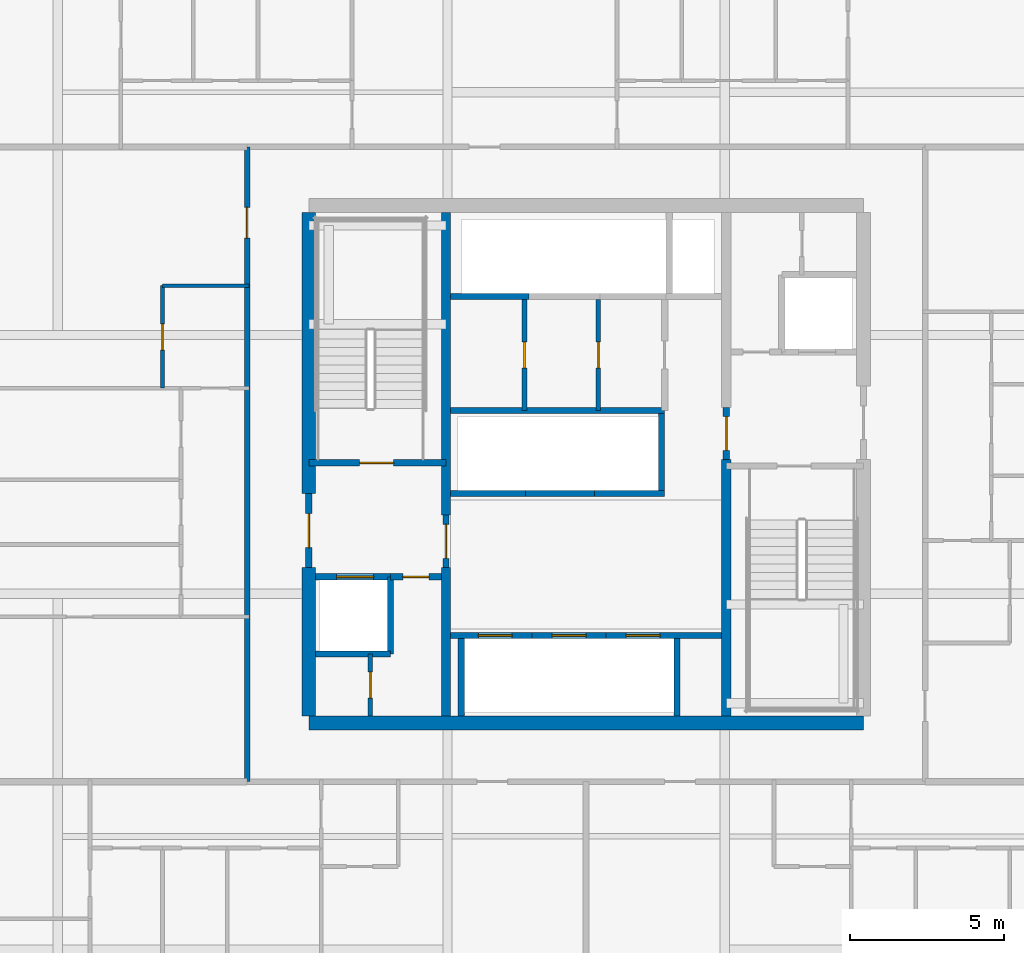
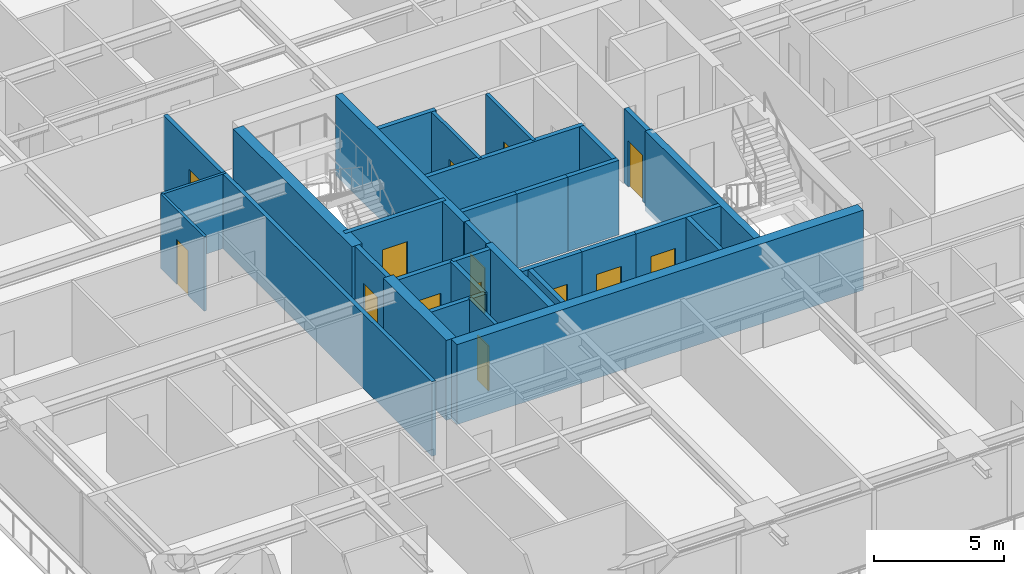
# One storey, part 28 of 39: 31 walls, 14 doors, 14 openings.
"""IFC4 building model written with IfcOpenShell, lengths in metres."""

from ifc_helpers import new_model, si_unit, direction, frame, frame_2d, origin, place, context, subcontext, project, spatial, rectangle, extrude, source, transform, mapped, material, layer, layer_set, type_object, element, fill, save


model = new_model("IFC4")

# Units and contexts
model_context = context("Model", 3, precision=1e-05, world=origin(), true_north=direction((0.0, 1.0)))
body_context = subcontext(model_context, "Body", "Model", "MODEL_VIEW")
ifc_project = project(units=[si_unit("LENGTHUNIT", "METRE"), si_unit("AREAUNIT", "SQUARE_METRE"), si_unit("VOLUMEUNIT", "CUBIC_METRE"), si_unit("PLANEANGLEUNIT", "RADIAN"), si_unit("MASSUNIT", "GRAM", prefix="KILO")], contexts=[model_context])

# Site, building, storey
site_placement = place(None, origin())
site = spatial("IfcSite", under=ifc_project, at=site_placement, CompositionType="ELEMENT")
building_placement = place(site_placement, origin())
building = spatial("IfcBuilding", under=site, at=building_placement, Name="Serunith Strait Residences", CompositionType="ELEMENT")
storey_placement = place(building_placement, frame((0.0, 0.0, 97.949951171875)))
storey = spatial("IfcBuildingStorey", under=building, at=storey_placement, Name="L24", CompositionType="ELEMENT", Elevation=97.949951171875)

# Wall, opening, door
ifc_material_1 = material(Name="Fire-rated masonry service closet wall", Category="masonry")
ifc_layer_1 = layer(ifc_material_1, 0.14990234375, Name="Fire-rated masonry service closet wall")
ifc_layer_set_1 = layer_set([ifc_layer_1], Name="Fire-rated masonry service closet wall")
wall_type_1 = type_object("IfcWallType", Name="IW-BOH-150", PredefinedType="PARTITIONING", material=ifc_layer_set_1)
wall_1_placement = place(storey_placement, frame((25.39990234375, 17.02490234375, 0.0), z_axis=(0.0, 0.0, 1.0), x_axis=(0.0, 1.0, 0.0)))
wall_1 = element("IfcWall", 1, at=wall_1_placement, inside=storey, type_object=wall_type_1, Name="L24 Partition Wall 012", PredefinedType="PARTITIONING", context=body_context, shape_type="SweptSolid", body=[
    extrude(rectangle(XDim=2.025146484375, YDim=0.14990234375, at=frame_2d((1.0126953125, 0.0))), origin(), (0.0, 0.0, 1.0), 3.489990234375),
])
opening_1_placement = place(wall_1_placement, frame((0.587890625, 0.0, 0.0)))
opening_1 = element("IfcOpeningElement", 2, at=opening_1_placement, cuts=wall_1, Name="Opening FD-850", PredefinedType="OPENING", context=body_context, shape_type="SweptSolid", body=[
    extrude(rectangle(XDim=0.85009765625, YDim=2.10009765625, at=frame_2d((0.425048828125, 1.050048828125))), frame((0.0, 0.0849609375, 0.0), z_axis=(0.0, -1.0, 0.0), x_axis=(1.0, 0.0, 0.0)), (0.0, 0.0, 1.0), 0.169921875),
])
ifc_material_2 = material(Name="Powder-coated steel service closet door", Category="steel")
door_type_1 = type_object("IfcDoorType", Name="FD-BOH-850", OperationType="NOTDEFINED", PredefinedType="DOOR", material=ifc_material_2)
shared_shape_1 = source(origin(), body_context, "Body", "SweptSolid", [
    extrude(rectangle(XDim=0.85009765625, YDim=2.10009765625, at=frame_2d((0.425048828125, 1.050048828125))), frame((0.0, 0.02490234375, 0.0), z_axis=(0.0, -1.0, 0.0), x_axis=(1.0, 0.0, 0.0)), (0.0, 0.0, 1.0), 0.050048828125),
])
door_1_placement = place(opening_1_placement, origin())
door_1 = element("IfcDoor", 3, at=door_1_placement, inside=storey, type_object=door_type_1, Name="L24 Sprinkler Plant Door", OperationType="SINGLE_SWING_RIGHT", OverallHeight=2.10009765625, OverallWidth=0.85009765625, PredefinedType="DOOR", context=body_context, shape_type="MappedRepresentation", body=[
    mapped(shared_shape_1, transform((0.0, 0.0, 0.0), scale=1.0)),
])
fill(opening_1, door_1)

wall_2_placement = place(storey_placement, frame((32.800048828125, 26.949951171875, 0.0), z_axis=(0.0, 0.0, 1.0), x_axis=(0.0, 1.0, 0.0)))
wall_2 = element("IfcWall", 4, at=wall_2_placement, inside=storey, type_object=wall_type_1, Name="L24 Partition Wall 015", PredefinedType="PARTITIONING", context=body_context, shape_type="SweptSolid", body=[
    extrude(rectangle(XDim=3.60009765625, YDim=0.14990234375, at=frame_2d((1.800048828125, 0.0))), origin(), (0.0, 0.0, 1.0), 3.489990234375),
])
opening_2_placement = place(wall_2_placement, frame((1.375, 0.0, 0.0)))
opening_2 = element("IfcOpeningElement", 5, at=opening_2_placement, cuts=wall_2, Name="Opening FD-850", PredefinedType="OPENING", context=body_context, shape_type="SweptSolid", body=[
    extrude(rectangle(XDim=0.85009765625, YDim=2.10009765625, at=frame_2d((0.425048828125, 1.050048828125))), frame((0.0, 0.0849609375, 0.0), z_axis=(0.0, -1.0, 0.0), x_axis=(1.0, 0.0, 0.0)), (0.0, 0.0, 1.0), 0.169921875),
])
door_2_placement = place(opening_2_placement, origin())
door_2 = element("IfcDoor", 6, at=door_2_placement, inside=storey, type_object=door_type_1, Name="L24 Linen Store Door", OperationType="SINGLE_SWING_LEFT", OverallHeight=2.10009765625, OverallWidth=0.85009765625, PredefinedType="DOOR", context=body_context, shape_type="MappedRepresentation", body=[
    mapped(shared_shape_1, transform((0.0, 0.0, 0.0), scale=1.0)),
])
fill(opening_2, door_2)

wall_3_placement = place(storey_placement, frame((30.39990234375, 26.949951171875, 0.0), z_axis=(0.0, 0.0, 1.0), x_axis=(0.0, 1.0, 0.0)))
wall_3 = element("IfcWall", 7, at=wall_3_placement, inside=storey, type_object=wall_type_1, Name="L24 Partition Wall 016", PredefinedType="PARTITIONING", context=body_context, shape_type="SweptSolid", body=[
    extrude(rectangle(XDim=3.60009765625, YDim=0.14990234375, at=frame_2d((1.800048828125, 0.0))), origin(), (0.0, 0.0, 1.0), 3.489990234375),
])
opening_3_placement = place(wall_3_placement, frame((1.375, 0.0, 0.0)))
opening_3 = element("IfcOpeningElement", 8, at=opening_3_placement, cuts=wall_3, Name="Opening FD-850", PredefinedType="OPENING", context=body_context, shape_type="SweptSolid", body=[
    extrude(rectangle(XDim=0.85009765625, YDim=2.10009765625, at=frame_2d((0.425048828125, 1.050048828125))), frame((0.0, 0.0849609375, 0.0), z_axis=(0.0, -1.0, 0.0), x_axis=(1.0, 0.0, 0.0)), (0.0, 0.0, 1.0), 0.169921875),
])
door_3_placement = place(opening_3_placement, origin())
door_3 = element("IfcDoor", 9, at=door_3_placement, inside=storey, type_object=door_type_1, Name="L24 Housekeeping Supply Door", OperationType="SINGLE_SWING_RIGHT", OverallHeight=2.10009765625, OverallWidth=0.85009765625, PredefinedType="DOOR", context=body_context, shape_type="MappedRepresentation", body=[
    mapped(shared_shape_1, transform((0.0, 0.0, 0.0), scale=1.0)),
])
fill(opening_3, door_3)

ifc_material_3 = material(Name="Fire-rated acoustic gypsum partition")
ifc_layer_2 = layer(ifc_material_3, 0.179931640625, Name="Fire-rated acoustic gypsum partition")
ifc_layer_set_2 = layer_set([ifc_layer_2], Name="Fire-rated acoustic gypsum partition")
wall_type_2 = type_object("IfcWallType", Name="IW-CORR-180", PredefinedType="PARTITIONING", material=ifc_layer_set_2)
wall_4_placement = place(storey_placement, frame((21.39990234375, 14.89990234375, 0.0), z_axis=(0.0, 0.0, 1.0), x_axis=(0.0, 1.0, 0.0)))
wall_4 = element("IfcWall", 10, at=wall_4_placement, inside=storey, type_object=wall_type_2, Name="L24 Partition Wall 024", PredefinedType="PARTITIONING", context=body_context, shape_type="SweptSolid", body=[
    extrude(rectangle(XDim=20.60009765625, YDim=0.179931640625, at=frame_2d((10.300048828125, 0.0))), origin(), (0.0, 0.0, 1.0), 3.489990234375),
])
opening_4_placement = place(wall_4_placement, frame((17.639892578125, 0.0, 0.0)))
opening_4 = element("IfcOpeningElement", 11, at=opening_4_placement, cuts=wall_4, Name="Opening D-APT1000", PredefinedType="OPENING", context=body_context, shape_type="SweptSolid", body=[
    extrude(rectangle(XDim=1.0, YDim=2.14990234375, at=frame_2d((0.5, 1.074951171875))), frame((0.0, 0.10009765625, 0.0), z_axis=(0.0, -1.0, 0.0), x_axis=(1.0, 0.0, 0.0)), (0.0, 0.0, 1.0), 0.199951171875),
])
ifc_material_4 = material(Name="Solid timber engineered fire door", Category="wood")
door_type_2 = type_object("IfcDoorType", Name="ID-APT-1000", OperationType="NOTDEFINED", PredefinedType="DOOR", material=ifc_material_4)
shared_shape_2 = source(origin(), body_context, "Body", "SweptSolid", [
    extrude(rectangle(XDim=1.0, YDim=2.14990234375, at=frame_2d((0.5, 1.074951171875))), frame((0.0, 0.02490234375, 0.0), z_axis=(0.0, -1.0, 0.0), x_axis=(1.0, 0.0, 0.0)), (0.0, 0.0, 1.0), 0.050048828125),
])
door_4_placement = place(opening_4_placement, origin())
door_4 = element("IfcDoor", 12, at=door_4_placement, inside=storey, type_object=door_type_2, Name="L24 Unit 04 Entrance Door", OperationType="SINGLE_SWING_RIGHT", OverallHeight=2.14990234375, OverallWidth=1.0, PredefinedType="DOOR", context=body_context, shape_type="MappedRepresentation", body=[
    mapped(shared_shape_2, transform((0.0, 0.0, 0.0), scale=1.0)),
])
fill(opening_4, door_4)

ifc_material_5 = material(Name="Lightweight steel-stud gypsum partition", Category="steel")
ifc_layer_3 = layer(ifc_material_5, 0.1201171875, Name="Lightweight steel-stud gypsum partition")
ifc_layer_set_3 = layer_set([ifc_layer_3], Name="Lightweight steel-stud gypsum partition")
wall_type_3 = type_object("IfcWallType", Name="IW-PART-120", PredefinedType="PARTITIONING", material=ifc_layer_set_3)
wall_5_placement = place(storey_placement, frame((18.64990234375, 27.669921875, 0.0), z_axis=(0.0, 0.0, 1.0), x_axis=(0.0, 1.0, 0.0)))
wall_5 = element("IfcWall", 13, at=wall_5_placement, inside=storey, type_object=wall_type_3, Name="L24 Partition Wall 090", PredefinedType="PARTITIONING", context=body_context, shape_type="SweptSolid", body=[
    extrude(rectangle(XDim=3.330078125, YDim=0.1201171875, at=frame_2d((1.6650390625, 0.0))), origin(), (0.0, 0.0, 1.0), 3.489990234375),
])
opening_5_placement = place(wall_5_placement, frame((1.239990234375, 0.0, 0.0)))
opening_5 = element("IfcOpeningElement", 14, at=opening_5_placement, cuts=wall_5, Name="Opening D-RM850", PredefinedType="OPENING", context=body_context, shape_type="SweptSolid", body=[
    extrude(rectangle(XDim=0.85009765625, YDim=2.10009765625, at=frame_2d((0.425048828125, 1.050048828125))), frame((0.0, 0.070068359375, 0.0), z_axis=(0.0, -1.0, 0.0), x_axis=(1.0, 0.0, 0.0)), (0.0, 0.0, 1.0), 0.14013671875),
])
ifc_material_6 = material(Name="Engineered timber flush study and kitchen door", Category="wood")
door_type_3 = type_object("IfcDoorType", Name="ID-ROOM-850", OperationType="NOTDEFINED", PredefinedType="DOOR", material=ifc_material_6)
door_5_placement = place(opening_5_placement, origin())
door_5 = element("IfcDoor", 15, at=door_5_placement, inside=storey, type_object=door_type_3, Name="L24 Kitchen 2404 Door", OperationType="SINGLE_SWING_RIGHT", OverallHeight=2.10009765625, OverallWidth=0.85009765625, PredefinedType="DOOR", context=body_context, shape_type="MappedRepresentation", body=[
    mapped(shared_shape_1, transform((0.0, 0.0, 0.0), scale=1.0)),
])
fill(opening_5, door_5)

# Wall
wall_6_placement = place(storey_placement, frame((18.64990234375, 31.0, 0.0), z_axis=(0.0, 0.0, 1.0), x_axis=(1.0, 0.0, 0.0)))
element("IfcWall", 16, at=wall_6_placement, inside=storey, type_object=wall_type_3, Name="L24 Partition Wall 091", PredefinedType="PARTITIONING", context=body_context, shape_type="SweptSolid", body=[
    extrude(rectangle(XDim=2.81005859375, YDim=0.1201171875, at=frame_2d((1.405029296875, 0.0))), origin(), (0.0, 0.0, 1.0), 3.489990234375),
])

# Wall, opening, door
ifc_material_7 = material(Name="Autoclaved aerated concrete blockwork", Category="masonry")
ifc_layer_4 = layer(ifc_material_7, 0.199951171875, Name="Autoclaved aerated concrete blockwork")
ifc_layer_set_4 = layer_set([ifc_layer_4], Name="Autoclaved aerated concrete blockwork")
wall_type_4 = type_object("IfcWallType", Name="IW-SHAFT-200", PredefinedType="STANDARD", material=ifc_layer_set_4)
wall_7_placement = place(storey_placement, frame((23.39990234375, 25.25, 0.0), z_axis=(0.0, 0.0, 1.0), x_axis=(1.0, 0.0, 0.0)))
wall_7 = element("IfcWall", 17, at=wall_7_placement, inside=storey, type_object=wall_type_4, Name="L24 ST-1 South Shaft Wall", PredefinedType="STANDARD", context=body_context, shape_type="SweptSolid", body=[
    extrude(rectangle(XDim=4.4501953125, YDim=0.199951171875, at=frame_2d((2.22509765625, 0.0))), origin(), (0.0, 0.0, 1.0), 3.489990234375),
])
opening_6_placement = place(wall_7_placement, frame((1.64990234375, 0.0, 0.0)))
opening_6 = element("IfcOpeningElement", 18, at=opening_6_placement, cuts=wall_7, Name="Opening FD-1100", PredefinedType="OPENING", context=body_context, shape_type="SweptSolid", body=[
    extrude(rectangle(XDim=1.10009765625, YDim=2.14990234375, at=frame_2d((0.550048828125, 1.074951171875))), frame((0.0, 0.10986328125, 0.0), z_axis=(0.0, -1.0, 0.0), x_axis=(1.0, 0.0, 0.0)), (0.0, 0.0, 1.0), 0.219970703125),
])
ifc_material_8 = material(Name="Galvanised steel fire door leaf", Category="steel")
door_type_4 = type_object("IfcDoorType", Name="FD-STAIR-1100", OperationType="NOTDEFINED", PredefinedType="DOOR", material=ifc_material_8)
shared_shape_3 = source(origin(), body_context, "Body", "SweptSolid", [
    extrude(rectangle(XDim=1.10009765625, YDim=2.14990234375, at=frame_2d((0.550048828125, 1.074951171875))), frame((0.0, 0.02490234375, 0.0), z_axis=(0.0, -1.0, 0.0), x_axis=(1.0, 0.0, 0.0)), (0.0, 0.0, 1.0), 0.050048828125),
])
door_6_placement = place(opening_6_placement, origin())
door_6 = element("IfcDoor", 19, at=door_6_placement, inside=storey, type_object=door_type_4, Name="L24 ST-1 Escape Stair Door", OperationType="SINGLE_SWING_RIGHT", OverallHeight=2.14990234375, OverallWidth=1.10009765625, PredefinedType="DOOR", context=body_context, shape_type="MappedRepresentation", body=[
    mapped(shared_shape_3, transform((0.0, 0.0, 0.0), scale=1.0)),
])
fill(opening_6, door_6)

wall_8_placement = place(storey_placement, frame((23.625, 21.550048828125, 0.0), z_axis=(0.0, 0.0, 1.0), x_axis=(1.0, 0.0, 0.0)))
wall_8 = element("IfcWall", 20, at=wall_8_placement, inside=storey, type_object=wall_type_4, Name="L24 FL-1 North Shaft Wall", PredefinedType="STANDARD", context=body_context, shape_type="SweptSolid", body=[
    extrude(rectangle(XDim=2.425048828125, YDim=0.199951171875, at=frame_2d((1.21240234375, 0.0))), origin(), (0.0, 0.0, 1.0), 3.489990234375),
])
opening_7_placement = place(wall_8_placement, frame((0.675048828125, 0.0, 0.0)))
opening_7 = element("IfcOpeningElement", 21, at=opening_7_placement, cuts=wall_8, Name="Opening LD-FF1200", PredefinedType="OPENING", context=body_context, shape_type="SweptSolid", body=[
    extrude(rectangle(XDim=1.199951171875, YDim=2.199951171875, at=frame_2d((0.60009765625, 1.10009765625))), frame((0.0, 0.10986328125, 0.0), z_axis=(0.0, -1.0, 0.0), x_axis=(1.0, 0.0, 0.0)), (0.0, 0.0, 1.0), 0.219970703125),
])
ifc_material_9 = material(Name="Brushed stainless steel landing door", Category="steel")
door_type_5 = type_object("IfcDoorType", Name="LD-FF-1200", OperationType="DOUBLE_DOOR_SLIDING", PredefinedType="DOOR", material=ifc_material_9)
shared_shape_4 = source(origin(), body_context, "Body", "SweptSolid", [
    extrude(rectangle(XDim=1.199951171875, YDim=2.199951171875, at=frame_2d((0.60009765625, 1.10009765625))), frame((0.0, 0.02490234375, 0.0), z_axis=(0.0, -1.0, 0.0), x_axis=(1.0, 0.0, 0.0)), (0.0, 0.0, 1.0), 0.050048828125),
])
door_7_placement = place(opening_7_placement, origin())
door_7 = element("IfcDoor", 22, at=door_7_placement, inside=storey, type_object=door_type_5, Name="L24 FL-1 Landing Door", OperationType="DOUBLE_DOOR_SLIDING", OverallHeight=2.199951171875, OverallWidth=1.199951171875, PredefinedType="DOOR", context=body_context, shape_type="MappedRepresentation", body=[
    mapped(shared_shape_4, transform((0.0, 0.0, 0.0), scale=1.0)),
])
fill(opening_7, door_7)

wall_9_placement = place(storey_placement, frame((28.0, 19.64990234375, 0.0), z_axis=(0.0, 0.0, 1.0), x_axis=(1.0, 0.0, 0.0)))
wall_9 = element("IfcWall", 23, at=wall_9_placement, inside=storey, type_object=wall_type_4, Name="L24 PL-1 North Shaft Wall", PredefinedType="STANDARD", context=body_context, shape_type="SweptSolid", body=[
    extrude(rectangle(XDim=2.64990234375, YDim=0.199951171875, at=frame_2d((1.324951171875, 0.0))), origin(), (0.0, 0.0, 1.0), 3.489990234375),
])
opening_8_placement = place(wall_9_placement, frame((0.89990234375, 0.0, 0.0)))
opening_8 = element("IfcOpeningElement", 24, at=opening_8_placement, cuts=wall_9, Name="Opening LD-1100", PredefinedType="OPENING", context=body_context, shape_type="SweptSolid", body=[
    extrude(rectangle(XDim=1.10009765625, YDim=2.199951171875, at=frame_2d((0.550048828125, 1.10009765625))), frame((0.0, 0.10986328125, 0.0), z_axis=(0.0, -1.0, 0.0), x_axis=(1.0, 0.0, 0.0)), (0.0, 0.0, 1.0), 0.219970703125),
])
ifc_material_10 = material(Name="Pale-champagne stainless landing door")
door_type_6 = type_object("IfcDoorType", Name="LD-LIFT-1100", OperationType="DOUBLE_DOOR_SLIDING", PredefinedType="DOOR", material=ifc_material_10)
shared_shape_5 = source(origin(), body_context, "Body", "SweptSolid", [
    extrude(rectangle(XDim=1.10009765625, YDim=2.199951171875, at=frame_2d((0.550048828125, 1.10009765625))), frame((0.0, 0.02490234375, 0.0), z_axis=(0.0, -1.0, 0.0), x_axis=(1.0, 0.0, 0.0)), (0.0, 0.0, 1.0), 0.050048828125),
])
door_8_placement = place(opening_8_placement, origin())
door_8 = element("IfcDoor", 25, at=door_8_placement, inside=storey, type_object=door_type_6, Name="L24 PL-1 Landing Door", OperationType="DOUBLE_DOOR_SLIDING", OverallHeight=2.199951171875, OverallWidth=1.10009765625, PredefinedType="DOOR", context=body_context, shape_type="MappedRepresentation", body=[
    mapped(shared_shape_5, transform((0.0, 0.0, 0.0), scale=1.0)),
])
fill(opening_8, door_8)

# Wall
wall_10_placement = place(storey_placement, frame((28.35009765625, 17.02490234375, 0.0), z_axis=(0.0, 0.0, 1.0), x_axis=(0.0, 1.0, 0.0)))
element("IfcWall", 26, at=wall_10_placement, inside=storey, type_object=wall_type_4, Name="L24 PL-1 West Shaft Wall", PredefinedType="STANDARD", context=body_context, shape_type="SweptSolid", body=[
    extrude(rectangle(XDim=2.525146484375, YDim=0.199951171875, at=frame_2d((1.2626953125, 0.0))), origin(), (0.0, 0.0, 1.0), 3.489990234375),
])

# Wall, opening, door
wall_11_placement = place(storey_placement, frame((30.64990234375, 19.64990234375, 0.0), z_axis=(0.0, 0.0, 1.0), x_axis=(1.0, 0.0, 0.0)))
wall_11 = element("IfcWall", 27, at=wall_11_placement, inside=storey, type_object=wall_type_4, Name="L24 PL-2 North Shaft Wall", PredefinedType="STANDARD", context=body_context, shape_type="SweptSolid", body=[
    extrude(rectangle(XDim=2.400146484375, YDim=0.199951171875, at=frame_2d((1.2001953125, 0.0))), origin(), (0.0, 0.0, 1.0), 3.489990234375),
])
opening_9_placement = place(wall_11_placement, frame((0.64990234375, 0.0, 0.0)))
opening_9 = element("IfcOpeningElement", 28, at=opening_9_placement, cuts=wall_11, Name="Opening LD-1100", PredefinedType="OPENING", context=body_context, shape_type="SweptSolid", body=[
    extrude(rectangle(XDim=1.10009765625, YDim=2.199951171875, at=frame_2d((0.550048828125, 1.10009765625))), frame((0.0, 0.10986328125, 0.0), z_axis=(0.0, -1.0, 0.0), x_axis=(1.0, 0.0, 0.0)), (0.0, 0.0, 1.0), 0.219970703125),
])
door_9_placement = place(opening_9_placement, origin())
door_9 = element("IfcDoor", 29, at=door_9_placement, inside=storey, type_object=door_type_6, Name="L24 PL-2 Landing Door", OperationType="DOUBLE_DOOR_SLIDING", OverallHeight=2.199951171875, OverallWidth=1.10009765625, PredefinedType="DOOR", context=body_context, shape_type="MappedRepresentation", body=[
    mapped(shared_shape_5, transform((0.0, 0.0, 0.0), scale=1.0)),
])
fill(opening_9, door_9)

wall_12_placement = place(storey_placement, frame((33.050048828125, 19.64990234375, 0.0), z_axis=(0.0, 0.0, 1.0), x_axis=(1.0, 0.0, 0.0)))
wall_12 = element("IfcWall", 30, at=wall_12_placement, inside=storey, type_object=wall_type_4, Name="L24 PL-3 North Shaft Wall", PredefinedType="STANDARD", context=body_context, shape_type="SweptSolid", body=[
    extrude(rectangle(XDim=3.75, YDim=0.199951171875, at=frame_2d((1.875, 0.0))), origin(), (0.0, 0.0, 1.0), 3.489990234375),
])
opening_10_placement = place(wall_12_placement, frame((0.64990234375, 0.0, 0.0)))
opening_10 = element("IfcOpeningElement", 31, at=opening_10_placement, cuts=wall_12, Name="Opening LD-1100", PredefinedType="OPENING", context=body_context, shape_type="SweptSolid", body=[
    extrude(rectangle(XDim=1.10009765625, YDim=2.199951171875, at=frame_2d((0.550048828125, 1.10009765625))), frame((0.0, 0.10986328125, 0.0), z_axis=(0.0, -1.0, 0.0), x_axis=(1.0, 0.0, 0.0)), (0.0, 0.0, 1.0), 0.219970703125),
])
door_10_placement = place(opening_10_placement, origin())
door_10 = element("IfcDoor", 32, at=door_10_placement, inside=storey, type_object=door_type_6, Name="L24 PL-3 Landing Door", OperationType="DOUBLE_DOOR_SLIDING", OverallHeight=2.199951171875, OverallWidth=1.10009765625, PredefinedType="DOOR", context=body_context, shape_type="MappedRepresentation", body=[
    mapped(shared_shape_5, transform((0.0, 0.0, 0.0), scale=1.0)),
])
fill(opening_10, door_10)

# Walls
wall_13_placement = place(storey_placement, frame((35.35009765625, 17.02490234375, 0.0), z_axis=(0.0, 0.0, 1.0), x_axis=(0.0, 1.0, 0.0)))
element("IfcWall", 33, at=wall_13_placement, inside=storey, type_object=wall_type_4, Name="L24 PL-3 East Shaft Wall", PredefinedType="STANDARD", context=body_context, shape_type="SweptSolid", body=[
    extrude(rectangle(XDim=2.525146484375, YDim=0.199951171875, at=frame_2d((1.2626953125, 0.0))), origin(), (0.0, 0.0, 1.0), 3.489990234375),
])
wall_14_placement = place(storey_placement, frame((28.0, 24.25, 0.0), z_axis=(0.0, 0.0, 1.0), x_axis=(1.0, 0.0, 0.0)))
element("IfcWall", 34, at=wall_14_placement, inside=storey, type_object=wall_type_4, Name="L24 PL-4 South Shaft Wall", PredefinedType="STANDARD", context=body_context, shape_type="SweptSolid", body=[
    extrude(rectangle(XDim=2.425048828125, YDim=0.199951171875, at=frame_2d((1.21240234375, 0.0))), origin(), (0.0, 0.0, 1.0), 3.489990234375),
])
wall_15_placement = place(storey_placement, frame((30.425048828125, 24.25, 0.0), z_axis=(0.0, 0.0, 1.0), x_axis=(1.0, 0.0, 0.0)))
element("IfcWall", 35, at=wall_15_placement, inside=storey, type_object=wall_type_4, Name="L24 PL-5 South Shaft Wall", PredefinedType="STANDARD", context=body_context, shape_type="SweptSolid", body=[
    extrude(rectangle(XDim=2.25, YDim=0.199951171875, at=frame_2d((1.125, 0.0))), origin(), (0.0, 0.0, 1.0), 3.489990234375),
])
wall_16_placement = place(storey_placement, frame((32.675048828125, 24.25, 0.0), z_axis=(0.0, 0.0, 1.0), x_axis=(1.0, 0.0, 0.0)))
element("IfcWall", 36, at=wall_16_placement, inside=storey, type_object=wall_type_4, Name="L24 PL-6 South Shaft Wall", PredefinedType="STANDARD", context=body_context, shape_type="SweptSolid", body=[
    extrude(rectangle(XDim=2.27490234375, YDim=0.199951171875, at=frame_2d((1.137451171875, 0.0))), origin(), (0.0, 0.0, 1.0), 3.489990234375),
])
wall_17_placement = place(storey_placement, frame((34.85009765625, 24.35009765625, 0.0), z_axis=(0.0, 0.0, 1.0), x_axis=(0.0, 1.0, 0.0)))
element("IfcWall", 37, at=wall_17_placement, inside=storey, type_object=wall_type_4, Name="L24 PL-6 East Shaft Wall", PredefinedType="STANDARD", context=body_context, shape_type="SweptSolid", body=[
    extrude(rectangle(XDim=2.5, YDim=0.199951171875, at=frame_2d((1.25, 0.0))), origin(), (0.0, 0.0, 1.0), 3.489990234375),
])
wall_18_placement = place(storey_placement, frame((28.0, 30.64990234375, 0.0), z_axis=(0.0, 0.0, 1.0), x_axis=(1.0, 0.0, 0.0)))
element("IfcWall", 38, at=wall_18_placement, inside=storey, type_object=wall_type_4, Name="L24 PL-7 South Shaft Wall", PredefinedType="STANDARD", context=body_context, shape_type="SweptSolid", body=[
    extrude(rectangle(XDim=2.550048828125, YDim=0.199951171875, at=frame_2d((1.27490234375, 0.0))), origin(), (0.0, 0.0, 1.0), 3.489990234375),
])
wall_19_placement = place(storey_placement, frame((26.050048828125, 19.050048828125, 0.0), z_axis=(0.0, 0.0, 1.0), x_axis=(0.0, 1.0, 0.0)))
element("IfcWall", 39, at=wall_19_placement, inside=storey, type_object=wall_type_4, Name="L24 Partition Wall 001", PredefinedType="STANDARD", context=body_context, shape_type="SweptSolid", body=[
    extrude(rectangle(XDim=2.5, YDim=0.199951171875, at=frame_2d((1.25, 0.0))), origin(), (0.0, 0.0, 1.0), 3.489990234375),
])
wall_20_placement = place(storey_placement, frame((23.625, 19.050048828125, 0.0), z_axis=(0.0, 0.0, 1.0), x_axis=(1.0, 0.0, 0.0)))
element("IfcWall", 40, at=wall_20_placement, inside=storey, type_object=wall_type_4, Name="L24 Partition Wall 002", PredefinedType="STANDARD", context=body_context, shape_type="SweptSolid", body=[
    extrude(rectangle(XDim=2.425048828125, YDim=0.199951171875, at=frame_2d((1.21240234375, 0.0))), origin(), (0.0, 0.0, 1.0), 3.489990234375),
])

# Wall, opening, door
wall_21_placement = place(storey_placement, frame((26.052001953125, 21.550048828125, 0.0), z_axis=(0.0, 0.0, 1.0), x_axis=(1.0, 0.0, 0.0)))
wall_21 = element("IfcWall", 41, at=wall_21_placement, inside=storey, type_object=wall_type_4, Name="L24 Partition Wall 003", PredefinedType="STANDARD", context=body_context, shape_type="SweptSolid", body=[
    extrude(rectangle(XDim=1.64794921875, YDim=0.199951171875, at=frame_2d((0.823974609375, 0.0))), origin(), (0.0, 0.0, 1.0), 3.489990234375),
])
opening_11_placement = place(wall_21_placement, frame((0.39892578125, 0.0, 0.0)))
opening_11 = element("IfcOpeningElement", 42, at=opening_11_placement, cuts=wall_21, Name="Opening FD-850", PredefinedType="OPENING", context=body_context, shape_type="SweptSolid", body=[
    extrude(rectangle(XDim=0.85009765625, YDim=2.10009765625, at=frame_2d((0.425048828125, 1.050048828125))), frame((0.0, 0.10986328125, 0.0), z_axis=(0.0, -1.0, 0.0), x_axis=(1.0, 0.0, 0.0)), (0.0, 0.0, 1.0), 0.219970703125),
])
door_11_placement = place(opening_11_placement, origin())
door_11 = element("IfcDoor", 43, at=door_11_placement, inside=storey, type_object=door_type_1, Name="L24 South-West Core Service Door", OperationType="SINGLE_SWING_RIGHT", OverallHeight=2.10009765625, OverallWidth=0.85009765625, PredefinedType="DOOR", context=body_context, shape_type="MappedRepresentation", body=[
    mapped(shared_shape_1, transform((0.0, 0.0, 0.0), scale=1.0)),
])
fill(opening_11, door_11)

wall_22_placement = place(storey_placement, frame((23.39990234375, 21.85205078125, 0.0), z_axis=(0.0, 0.0, 1.0), x_axis=(0.0, 1.0, 0.0)))
wall_22 = element("IfcWall", 44, at=wall_22_placement, inside=storey, type_object=wall_type_4, Name="L24 Partition Wall 007", PredefinedType="STANDARD", context=body_context, shape_type="SweptSolid", body=[
    extrude(rectangle(XDim=2.39599609375, YDim=0.199951171875, at=frame_2d((1.197998046875, 0.0))), origin(), (0.0, 0.0, 1.0), 3.489990234375),
])
opening_12_placement = place(wall_22_placement, frame((0.64794921875, 0.0, 0.0)))
opening_12 = element("IfcOpeningElement", 45, at=opening_12_placement, cuts=wall_22, Name="Opening FD-FFL", PredefinedType="OPENING", context=body_context, shape_type="SweptSolid", body=[
    extrude(rectangle(XDim=1.10009765625, YDim=2.14990234375, at=frame_2d((0.550048828125, 1.074951171875))), frame((0.0, 0.10986328125, 0.0), z_axis=(0.0, -1.0, 0.0), x_axis=(1.0, 0.0, 0.0)), (0.0, 0.0, 1.0), 0.219970703125),
])
ifc_material_11 = material(Name="Glazed steel smoke-lobby fire door", Category="steel")
door_type_7 = type_object("IfcDoorType", Name="FD-FFL-1100", OperationType="NOTDEFINED", PredefinedType="DOOR", material=ifc_material_11)
door_12_placement = place(opening_12_placement, origin())
door_12 = element("IfcDoor", 46, at=door_12_placement, inside=storey, type_object=door_type_7, Name="L24 FFL-1 Corridor Fire Door", OperationType="SINGLE_SWING_RIGHT", OverallHeight=2.14990234375, OverallWidth=1.10009765625, PredefinedType="DOOR", context=body_context, shape_type="MappedRepresentation", body=[
    mapped(shared_shape_3, transform((0.0, 0.0, 0.0), scale=1.0)),
])
fill(opening_12, door_12)

wall_23_placement = place(storey_placement, frame((27.85009765625, 21.85205078125, 0.0), z_axis=(0.0, 0.0, 1.0), x_axis=(0.0, 1.0, 0.0)))
wall_23 = element("IfcWall", 47, at=wall_23_placement, inside=storey, type_object=wall_type_4, Name="L24 Partition Wall 009", PredefinedType="STANDARD", context=body_context, shape_type="SweptSolid", body=[
    extrude(rectangle(XDim=1.696044921875, YDim=0.199951171875, at=frame_2d((0.84814453125, 0.0))), origin(), (0.0, 0.0, 1.0), 3.489990234375),
])
opening_13_placement = place(wall_23_placement, frame((0.298095703125, 0.0, 0.0)))
opening_13 = element("IfcOpeningElement", 48, at=opening_13_placement, cuts=wall_23, Name="Opening FD-FFL", PredefinedType="OPENING", context=body_context, shape_type="SweptSolid", body=[
    extrude(rectangle(XDim=1.10009765625, YDim=2.14990234375, at=frame_2d((0.550048828125, 1.074951171875))), frame((0.0, 0.10986328125, 0.0), z_axis=(0.0, -1.0, 0.0), x_axis=(1.0, 0.0, 0.0)), (0.0, 0.0, 1.0), 0.219970703125),
])
door_13_placement = place(opening_13_placement, origin())
door_13 = element("IfcDoor", 49, at=door_13_placement, inside=storey, type_object=door_type_7, Name="L24 FFL-1 Lift Lobby Door", OperationType="SINGLE_SWING_RIGHT", OverallHeight=2.14990234375, OverallWidth=1.10009765625, PredefinedType="DOOR", context=body_context, shape_type="MappedRepresentation", body=[
    mapped(shared_shape_3, transform((0.0, 0.0, 0.0), scale=1.0)),
])
fill(opening_13, door_13)

wall_24_placement = place(storey_placement, frame((36.949951171875, 25.35205078125, 0.0), z_axis=(0.0, 0.0, 1.0), x_axis=(0.0, 1.0, 0.0)))
wall_24 = element("IfcWall", 50, at=wall_24_placement, inside=storey, type_object=wall_type_4, Name="L24 Partition Wall 010", PredefinedType="STANDARD", context=body_context, shape_type="SweptSolid", body=[
    extrude(rectangle(XDim=1.696044921875, YDim=0.199951171875, at=frame_2d((0.84814453125, 0.0))), origin(), (0.0, 0.0, 1.0), 3.489990234375),
])
opening_14_placement = place(wall_24_placement, frame((0.298095703125, 0.0, 0.0)))
opening_14 = element("IfcOpeningElement", 51, at=opening_14_placement, cuts=wall_24, Name="Opening FD-FFL", PredefinedType="OPENING", context=body_context, shape_type="SweptSolid", body=[
    extrude(rectangle(XDim=1.10009765625, YDim=2.14990234375, at=frame_2d((0.550048828125, 1.074951171875))), frame((0.0, 0.10986328125, 0.0), z_axis=(0.0, -1.0, 0.0), x_axis=(1.0, 0.0, 0.0)), (0.0, 0.0, 1.0), 0.219970703125),
])
door_14_placement = place(opening_14_placement, origin())
door_14 = element("IfcDoor", 52, at=door_14_placement, inside=storey, type_object=door_type_7, Name="L24 FFL-2 Lift Lobby Door", OperationType="SINGLE_SWING_LEFT", OverallHeight=2.14990234375, OverallWidth=1.10009765625, PredefinedType="DOOR", context=body_context, shape_type="MappedRepresentation", body=[
    mapped(shared_shape_3, transform((0.0, 0.0, 0.0), scale=1.0)),
])
fill(opening_14, door_14)

# Walls
wall_25_placement = place(storey_placement, frame((28.0, 26.949951171875, 0.0), z_axis=(0.0, 0.0, 1.0), x_axis=(1.0, 0.0, 0.0)))
element("IfcWall", 53, at=wall_25_placement, inside=storey, type_object=wall_type_4, Name="L24 Partition Wall 011", PredefinedType="STANDARD", context=body_context, shape_type="SweptSolid", body=[
    extrude(rectangle(XDim=6.949951171875, YDim=0.199951171875, at=frame_2d((3.47509765625, 0.0))), origin(), (0.0, 0.0, 1.0), 3.489990234375),
])
ifc_material_12 = material(Name="Concrete C80/95", Category="concrete")
ifc_layer_5 = layer(ifc_material_12, 0.300048828125, Name="Concrete C80/95")
ifc_layer_set_5 = layer_set([ifc_layer_5], Name="Concrete C80/95")
wall_type_5 = type_object("IfcWallType", Name="SW-300-C80", PredefinedType="SHEAR", material=ifc_layer_set_5)
wall_26_placement = place(storey_placement, frame((27.85009765625, 17.02490234375, -0.260009765625), z_axis=(0.0, 0.0, 1.0), x_axis=(0.0, 1.0, 0.0)))
element("IfcWall", 54, at=wall_26_placement, inside=storey, type_object=wall_type_5, Name="L24 Core Internal West Web South Pier", PredefinedType="SHEAR", context=body_context, shape_type="SweptSolid", body=[
    extrude(rectangle(XDim=4.8251953125, YDim=0.300048828125, at=frame_2d((2.41259765625, 0.0))), origin(), (0.0, 0.0, 1.0), 3.748046875),
])
wall_27_placement = place(storey_placement, frame((27.85009765625, 23.550048828125, -0.260009765625), z_axis=(0.0, 0.0, 1.0), x_axis=(0.0, 1.0, 0.0)))
element("IfcWall", 55, at=wall_27_placement, inside=storey, type_object=wall_type_5, Name="L24 Core Internal West Web North Pier", PredefinedType="SHEAR", context=body_context, shape_type="SweptSolid", body=[
    extrude(rectangle(XDim=9.824951171875, YDim=0.300048828125, at=frame_2d((4.91259765625, 0.0))), origin(), (0.0, 0.0, 1.0), 3.748046875),
])
wall_28_placement = place(storey_placement, frame((36.949951171875, 17.02490234375, -0.260009765625), z_axis=(0.0, 0.0, 1.0), x_axis=(0.0, 1.0, 0.0)))
element("IfcWall", 56, at=wall_28_placement, inside=storey, type_object=wall_type_5, Name="L24 Core Internal East Web South Pier", PredefinedType="SHEAR", context=body_context, shape_type="SweptSolid", body=[
    extrude(rectangle(XDim=8.3251953125, YDim=0.300048828125, at=frame_2d((4.16259765625, 0.0))), origin(), (0.0, 0.0, 1.0), 3.748046875),
])
ifc_layer_6 = layer(ifc_material_12, 0.449951171875, Name="Concrete C80/95")
ifc_layer_set_6 = layer_set([ifc_layer_6], Name="Concrete C80/95")
wall_type_6 = type_object("IfcWallType", Name="SW-450-C80", PredefinedType="SHEAR", material=ifc_layer_set_6)
wall_29_placement = place(storey_placement, frame((23.39990234375, 16.800048828125, -0.260009765625), z_axis=(0.0, 0.0, 1.0), x_axis=(1.0, 0.0, 0.0)))
element("IfcWall", 57, at=wall_29_placement, inside=storey, type_object=wall_type_6, Name="L24 Core South Shear Wall", PredefinedType="SHEAR", context=body_context, shape_type="SweptSolid", body=[
    extrude(rectangle(XDim=18.0, YDim=0.449951171875, at=frame_2d((9.0, 0.0))), origin(), (0.0, 0.0, 1.0), 3.748046875),
])
wall_30_placement = place(storey_placement, frame((23.39990234375, 17.02490234375, -0.260009765625), z_axis=(0.0, 0.0, 1.0), x_axis=(0.0, 1.0, 0.0)))
element("IfcWall", 58, at=wall_30_placement, inside=storey, type_object=wall_type_6, Name="L24 Core West Shear Wall South Pier", PredefinedType="SHEAR", context=body_context, shape_type="SweptSolid", body=[
    extrude(rectangle(XDim=4.8251953125, YDim=0.449951171875, at=frame_2d((2.41259765625, 0.0))), origin(), (0.0, 0.0, 1.0), 3.748046875),
])
wall_31_placement = place(storey_placement, frame((23.39990234375, 24.25, -0.260009765625), z_axis=(0.0, 0.0, 1.0), x_axis=(0.0, 1.0, 0.0)))
element("IfcWall", 59, at=wall_31_placement, inside=storey, type_object=wall_type_6, Name="L24 Core West Shear Wall North Pier", PredefinedType="SHEAR", context=body_context, shape_type="SweptSolid", body=[
    extrude(rectangle(XDim=9.125, YDim=0.449951171875, at=frame_2d((4.5625, 0.0))), origin(), (0.0, 0.0, 1.0), 3.748046875),
])

save(model, "model.ifc")
